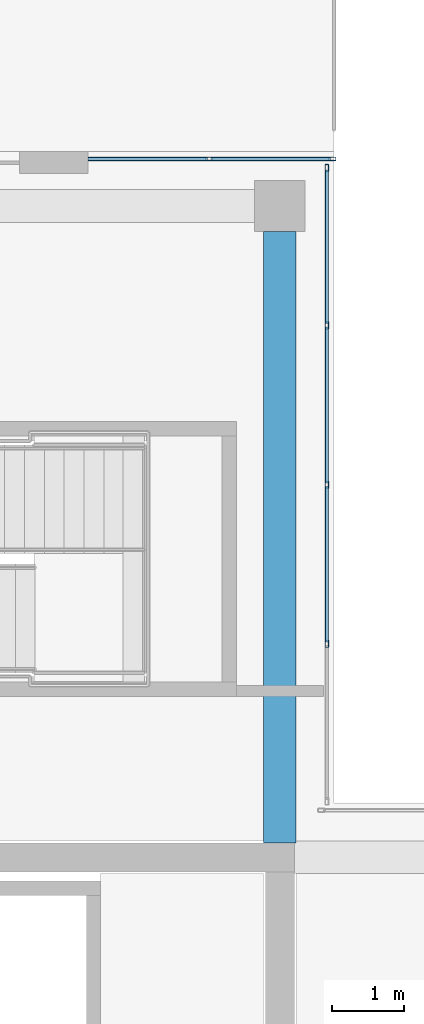
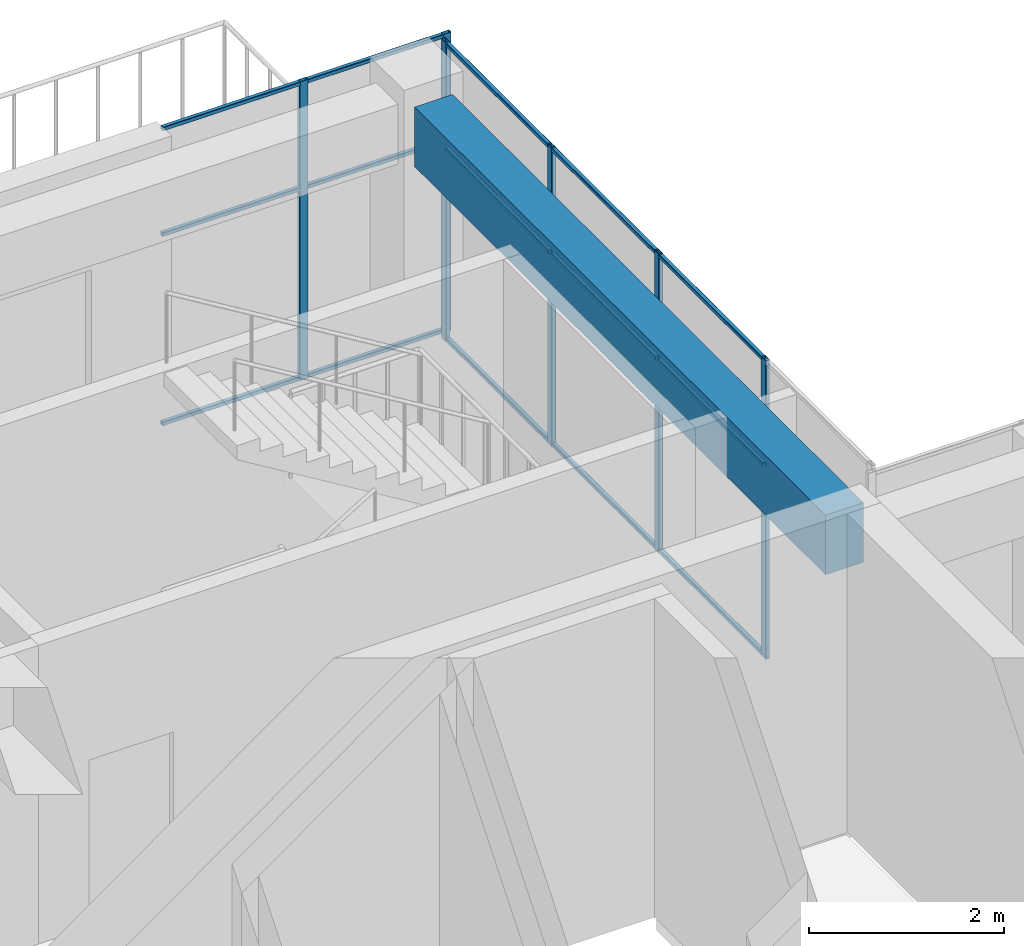
# One storey, part 35 of 49: 21 members, 1 beam, 2 elements without a shape of their own.
"""IFC4 building model written with IfcOpenShell, lengths in metres."""

from ifc_helpers import new_model, si_unit, direction, frame, origin, origin_2d, place, context, subcontext, project, spatial, rectangle, hollow_rectangle, extrude, material, layer, layer_set, material_profile, profile_set, type_object, element, aggregate, save


model = new_model("IFC4")

# Units and contexts
model_context = context("Model", 3, precision=1e-05, world=origin(), true_north=direction((0.0, 1.0)))
body_context = subcontext(model_context, "Body", "Model", "MODEL_VIEW")
ifc_project = project(units=[si_unit("LENGTHUNIT", "METRE"), si_unit("AREAUNIT", "SQUARE_METRE"), si_unit("VOLUMEUNIT", "CUBIC_METRE"), si_unit("PLANEANGLEUNIT", "RADIAN"), si_unit("MASSUNIT", "GRAM", prefix="KILO")], contexts=[model_context])

# Site, building, storey
site_placement = place(None, origin())
site = spatial("IfcSite", under=ifc_project, at=site_placement, CompositionType="ELEMENT")
building_placement = place(site_placement, origin())
building = spatial("IfcBuilding", under=site, at=building_placement, Name="Tuart Plaza Theatre", CompositionType="ELEMENT")
storey_placement = place(building_placement, frame((0.0, 0.0, 29.5)))
storey = spatial("IfcBuildingStorey", under=building, at=storey_placement, Name="L07", CompositionType="ELEMENT", Elevation=29.5)

# Beam
ifc_material_1 = material(Name="Concrete N40 (40 MPa)", Category="concrete")
ifc_material_profile_1 = material_profile(ifc_material_1, rectangle(XDim=0.449951171875, YDim=0.75, at=origin_2d()), Name="BEAM 450x750 Concrete N40 (40 MPa)")
ifc_profile_set_1 = profile_set([ifc_material_profile_1], Name="Concrete N40 (40 MPa)")
beam_type = type_object("IfcBeamType", Name="BEAM 450x750 Concrete N40 (40 MPa)", PredefinedType="BEAM", material=ifc_profile_set_1)
beam_placement = place(storey_placement, frame((141.0, 83.199951171875, 3.375), z_axis=(0.0, 1.0, 0.0), x_axis=(-1.0, 0.0, 0.0)))
element("IfcBeam", 1, at=beam_placement, inside=storey, type_object=beam_type, Name="RB273", PredefinedType="BEAM", context=body_context, shape_type="SweptSolid", body=[
    extrude(rectangle(XDim=0.449951171875, YDim=0.75, at=origin_2d()), origin(), (0.0, 0.0, 1.0), 8.449951171875),
])

# Curtain wall, members
ifc_material_2 = material(Name="Aluminium and glass", Category="aluminium")
ifc_layer = layer(ifc_material_2, 0.10009765625)
ifc_layer_set = layer_set([ifc_layer], Name="CURTAIN WALL 2000 module")
curtain_wall_type = type_object("IfcCurtainWallType", Name="CURTAIN WALL 2000 module", PredefinedType="NOTDEFINED", material=ifc_layer_set)
curtain_wall_1_placement = place(storey_placement, origin())
curtain_wall_1 = element("IfcCurtainWall", 2, at=curtain_wall_1_placement, inside=storey, type_object=curtain_wall_type, Name="CW94", PredefinedType="NOTDEFINED")
ifc_material_3 = material(Name="Aluminium 6063-T5", Category="aluminium")
ifc_material_profile_2 = material_profile(ifc_material_3, hollow_rectangle(XDim=0.050048828125, YDim=0.10009765625, WallThickness=0.00390625, InnerFilletRadius=0.00390625, OuterFilletRadius=0.008056640625, at=origin_2d()), Name="RHS 100x50x4")
ifc_profile_set_2 = profile_set([ifc_material_profile_2], Name="Aluminium 6063-T5")
member_type_1 = type_object("IfcMemberType", Name="MULLION RHS 100x50x4", PredefinedType="MULLION", material=ifc_profile_set_2)
member_1_placement = place(storey_placement, frame((141.64990234375, 85.949951171875, 0.0), z_axis=(0.0, 0.0, 1.0), x_axis=(-1.0, 0.0, 0.0)))
member_1 = element("IfcMember", 3, at=member_1_placement, type_object=member_type_1, Name="CW94 mullion 2", PredefinedType="MULLION", context=body_context, shape_type="SweptSolid", body=[
    extrude(hollow_rectangle(XDim=0.050048828125, YDim=0.10009765625, WallThickness=0.00390625, InnerFilletRadius=0.00390625, OuterFilletRadius=0.008056640625, at=origin_2d()), origin(), (0.0, 0.0, 1.0), 3.75),
])
member_2_placement = place(storey_placement, frame((141.64990234375, 88.14990234375, 0.0), z_axis=(0.0, 0.0, 1.0), x_axis=(-1.0, 0.0, 0.0)))
member_2 = element("IfcMember", 4, at=member_2_placement, type_object=member_type_1, Name="CW94 mullion 3", PredefinedType="MULLION", context=body_context, shape_type="SweptSolid", body=[
    extrude(hollow_rectangle(XDim=0.050048828125, YDim=0.10009765625, WallThickness=0.00390625, InnerFilletRadius=0.00390625, OuterFilletRadius=0.008056640625, at=origin_2d()), origin(), (0.0, 0.0, 1.0), 3.75),
])
member_3_placement = place(storey_placement, frame((141.64990234375, 90.35009765625, 0.0), z_axis=(0.0, 0.0, 1.0), x_axis=(-1.0, 0.0, 0.0)))
member_3 = element("IfcMember", 5, at=member_3_placement, type_object=member_type_1, Name="CW94 mullion 4", PredefinedType="MULLION", context=body_context, shape_type="SweptSolid", body=[
    extrude(hollow_rectangle(XDim=0.050048828125, YDim=0.10009765625, WallThickness=0.00390625, InnerFilletRadius=0.00390625, OuterFilletRadius=0.008056640625, at=origin_2d()), origin(), (0.0, 0.0, 1.0), 3.75),
])
member_4_placement = place(storey_placement, frame((141.64990234375, 92.52490234375, 0.0), z_axis=(0.0, 0.0, 1.0), x_axis=(-1.0, 0.0, 0.0)))
member_4 = element("IfcMember", 6, at=member_4_placement, type_object=member_type_1, Name="CW94 mullion 5", PredefinedType="MULLION", context=body_context, shape_type="SweptSolid", body=[
    extrude(hollow_rectangle(XDim=0.050048828125, YDim=0.10009765625, WallThickness=0.00390625, InnerFilletRadius=0.00390625, OuterFilletRadius=0.008056640625, at=origin_2d()), origin(), (0.0, 0.0, 1.0), 3.75),
])

curtain_wall_2_placement = place(storey_placement, origin())
curtain_wall_2 = element("IfcCurtainWall", 7, at=curtain_wall_2_placement, inside=storey, type_object=curtain_wall_type, Name="CW95", PredefinedType="NOTDEFINED")
member_5_placement = place(storey_placement, frame((141.72509765625, 92.64990234375, 0.0), z_axis=(0.0, 0.0, 1.0), x_axis=(0.0, -1.0, 0.0)))
member_5 = element("IfcMember", 8, at=member_5_placement, type_object=member_type_1, Name="CW95 mullion 1", PredefinedType="MULLION", context=body_context, shape_type="SweptSolid", body=[
    extrude(hollow_rectangle(XDim=0.050048828125, YDim=0.10009765625, WallThickness=0.00390625, InnerFilletRadius=0.00390625, OuterFilletRadius=0.008056640625, at=origin_2d()), origin(), (0.0, 0.0, 1.0), 3.75),
])
member_6_placement = place(storey_placement, frame((140.02490234375, 92.64990234375, 0.0), z_axis=(0.0, 0.0, 1.0), x_axis=(0.0, -1.0, 0.0)))
member_6 = element("IfcMember", 9, at=member_6_placement, type_object=member_type_1, Name="CW95 mullion 2", PredefinedType="MULLION", context=body_context, shape_type="SweptSolid", body=[
    extrude(hollow_rectangle(XDim=0.050048828125, YDim=0.10009765625, WallThickness=0.00390625, InnerFilletRadius=0.00390625, OuterFilletRadius=0.008056640625, at=origin_2d()), origin(), (0.0, 0.0, 1.0), 3.75),
])

# Member
ifc_material_4 = material(Name="Aluminium 6063-T5", Category="aluminium")
ifc_material_profile_3 = material_profile(ifc_material_4, hollow_rectangle(XDim=0.050048828125, YDim=0.050048828125, WallThickness=0.00390625, InnerFilletRadius=0.00390625, OuterFilletRadius=0.008056640625, at=origin_2d()), Name="RHS 50x50x4")
ifc_profile_set_3 = profile_set([ifc_material_profile_3], Name="Aluminium 6063-T5")
member_type_2 = type_object("IfcMemberType", Name="TRANSOM RHS 50x50x4", PredefinedType="USERDEFINED", material=ifc_profile_set_3)
member_7_placement = place(storey_placement, frame((141.64990234375, 85.97509765625, 0.02490234375), z_axis=(0.0, 1.0, 0.0), x_axis=(-1.0, 0.0, 0.0)))
member_7 = element("IfcMember", 10, at=member_7_placement, type_object=member_type_2, Name="CW94 transom 2.1", ObjectType="TRANSOM", PredefinedType="USERDEFINED", context=body_context, shape_type="SweptSolid", body=[
    extrude(hollow_rectangle(XDim=0.050048828125, YDim=0.050048828125, WallThickness=0.00390625, InnerFilletRadius=0.00390625, OuterFilletRadius=0.008056640625, at=origin_2d()), origin(), (0.0, 0.0, 1.0), 2.14990234375),
])

member_8_placement = place(storey_placement, frame((141.64990234375, 85.97509765625, 2.39990234375), z_axis=(0.0, 1.0, 0.0), x_axis=(-1.0, 0.0, 0.0)))
member_8 = element("IfcMember", 11, at=member_8_placement, type_object=member_type_2, Name="CW94 transom 2.2", ObjectType="TRANSOM", PredefinedType="USERDEFINED", context=body_context, shape_type="SweptSolid", body=[
    extrude(hollow_rectangle(XDim=0.050048828125, YDim=0.050048828125, WallThickness=0.00390625, InnerFilletRadius=0.00390625, OuterFilletRadius=0.008056640625, at=origin_2d()), origin(), (0.0, 0.0, 1.0), 2.14990234375),
])

member_9_placement = place(storey_placement, frame((141.64990234375, 85.97509765625, 3.72509765625), z_axis=(0.0, 1.0, 0.0), x_axis=(-1.0, 0.0, 0.0)))
member_9 = element("IfcMember", 12, at=member_9_placement, type_object=member_type_2, Name="CW94 transom 2.3", ObjectType="TRANSOM", PredefinedType="USERDEFINED", context=body_context, shape_type="SweptSolid", body=[
    extrude(hollow_rectangle(XDim=0.050048828125, YDim=0.050048828125, WallThickness=0.00390625, InnerFilletRadius=0.00390625, OuterFilletRadius=0.008056640625, at=origin_2d()), origin(), (0.0, 0.0, 1.0), 2.14990234375),
])

member_10_placement = place(storey_placement, frame((141.64990234375, 88.175048828125, 0.02490234375), z_axis=(0.0, 1.0, 0.0), x_axis=(-1.0, 0.0, 0.0)))
member_10 = element("IfcMember", 13, at=member_10_placement, type_object=member_type_2, Name="CW94 transom 3.1", ObjectType="TRANSOM", PredefinedType="USERDEFINED", context=body_context, shape_type="SweptSolid", body=[
    extrude(hollow_rectangle(XDim=0.050048828125, YDim=0.050048828125, WallThickness=0.00390625, InnerFilletRadius=0.00390625, OuterFilletRadius=0.008056640625, at=origin_2d()), origin(), (0.0, 0.0, 1.0), 2.14990234375),
])

member_11_placement = place(storey_placement, frame((141.64990234375, 88.175048828125, 2.39990234375), z_axis=(0.0, 1.0, 0.0), x_axis=(-1.0, 0.0, 0.0)))
member_11 = element("IfcMember", 14, at=member_11_placement, type_object=member_type_2, Name="CW94 transom 3.2", ObjectType="TRANSOM", PredefinedType="USERDEFINED", context=body_context, shape_type="SweptSolid", body=[
    extrude(hollow_rectangle(XDim=0.050048828125, YDim=0.050048828125, WallThickness=0.00390625, InnerFilletRadius=0.00390625, OuterFilletRadius=0.008056640625, at=origin_2d()), origin(), (0.0, 0.0, 1.0), 2.14990234375),
])

member_12_placement = place(storey_placement, frame((141.64990234375, 88.175048828125, 3.72509765625), z_axis=(0.0, 1.0, 0.0), x_axis=(-1.0, 0.0, 0.0)))
member_12 = element("IfcMember", 15, at=member_12_placement, type_object=member_type_2, Name="CW94 transom 3.3", ObjectType="TRANSOM", PredefinedType="USERDEFINED", context=body_context, shape_type="SweptSolid", body=[
    extrude(hollow_rectangle(XDim=0.050048828125, YDim=0.050048828125, WallThickness=0.00390625, InnerFilletRadius=0.00390625, OuterFilletRadius=0.008056640625, at=origin_2d()), origin(), (0.0, 0.0, 1.0), 2.14990234375),
])

member_13_placement = place(storey_placement, frame((141.64990234375, 90.375, 0.02490234375), z_axis=(0.0, 1.0, 0.0), x_axis=(-1.0, 0.0, 0.0)))
member_13 = element("IfcMember", 16, at=member_13_placement, type_object=member_type_2, Name="CW94 transom 4.1", ObjectType="TRANSOM", PredefinedType="USERDEFINED", context=body_context, shape_type="SweptSolid", body=[
    extrude(hollow_rectangle(XDim=0.050048828125, YDim=0.050048828125, WallThickness=0.00390625, InnerFilletRadius=0.00390625, OuterFilletRadius=0.008056640625, at=origin_2d()), origin(), (0.0, 0.0, 1.0), 2.125),
])

member_14_placement = place(storey_placement, frame((141.64990234375, 90.375, 2.39990234375), z_axis=(0.0, 1.0, 0.0), x_axis=(-1.0, 0.0, 0.0)))
member_14 = element("IfcMember", 17, at=member_14_placement, type_object=member_type_2, Name="CW94 transom 4.2", ObjectType="TRANSOM", PredefinedType="USERDEFINED", context=body_context, shape_type="SweptSolid", body=[
    extrude(hollow_rectangle(XDim=0.050048828125, YDim=0.050048828125, WallThickness=0.00390625, InnerFilletRadius=0.00390625, OuterFilletRadius=0.008056640625, at=origin_2d()), origin(), (0.0, 0.0, 1.0), 2.125),
])

member_15_placement = place(storey_placement, frame((141.64990234375, 90.375, 3.72509765625), z_axis=(0.0, 1.0, 0.0), x_axis=(-1.0, 0.0, 0.0)))
member_15 = element("IfcMember", 18, at=member_15_placement, type_object=member_type_2, Name="CW94 transom 4.3", ObjectType="TRANSOM", PredefinedType="USERDEFINED", context=body_context, shape_type="SweptSolid", body=[
    extrude(hollow_rectangle(XDim=0.050048828125, YDim=0.050048828125, WallThickness=0.00390625, InnerFilletRadius=0.00390625, OuterFilletRadius=0.008056640625, at=origin_2d()), origin(), (0.0, 0.0, 1.0), 2.125),
])

aggregate(curtain_wall_1, [member_1, member_2, member_3, member_4, member_7, member_8, member_9, member_10, member_11, member_12, member_13, member_14, member_15])

member_16_placement = place(storey_placement, frame((141.699951171875, 92.64990234375, 0.02490234375), z_axis=(-1.0, 0.0, 0.0), x_axis=(0.0, -1.0, 0.0)))
member_16 = element("IfcMember", 19, at=member_16_placement, type_object=member_type_2, Name="CW95 transom 1.1", ObjectType="TRANSOM", PredefinedType="USERDEFINED", context=body_context, shape_type="SweptSolid", body=[
    extrude(hollow_rectangle(XDim=0.050048828125, YDim=0.050048828125, WallThickness=0.00390625, InnerFilletRadius=0.00390625, OuterFilletRadius=0.008056640625, at=origin_2d()), origin(), (0.0, 0.0, 1.0), 1.64990234375),
])

member_17_placement = place(storey_placement, frame((141.699951171875, 92.64990234375, 2.39990234375), z_axis=(-1.0, 0.0, 0.0), x_axis=(0.0, -1.0, 0.0)))
member_17 = element("IfcMember", 20, at=member_17_placement, type_object=member_type_2, Name="CW95 transom 1.2", ObjectType="TRANSOM", PredefinedType="USERDEFINED", context=body_context, shape_type="SweptSolid", body=[
    extrude(hollow_rectangle(XDim=0.050048828125, YDim=0.050048828125, WallThickness=0.00390625, InnerFilletRadius=0.00390625, OuterFilletRadius=0.008056640625, at=origin_2d()), origin(), (0.0, 0.0, 1.0), 1.64990234375),
])

member_18_placement = place(storey_placement, frame((141.699951171875, 92.64990234375, 3.72509765625), z_axis=(-1.0, 0.0, 0.0), x_axis=(0.0, -1.0, 0.0)))
member_18 = element("IfcMember", 21, at=member_18_placement, type_object=member_type_2, Name="CW95 transom 1.3", ObjectType="TRANSOM", PredefinedType="USERDEFINED", context=body_context, shape_type="SweptSolid", body=[
    extrude(hollow_rectangle(XDim=0.050048828125, YDim=0.050048828125, WallThickness=0.00390625, InnerFilletRadius=0.00390625, OuterFilletRadius=0.008056640625, at=origin_2d()), origin(), (0.0, 0.0, 1.0), 1.64990234375),
])

member_19_placement = place(storey_placement, frame((140.0, 92.64990234375, 0.02490234375), z_axis=(-1.0, 0.0, 0.0), x_axis=(0.0, -1.0, 0.0)))
member_19 = element("IfcMember", 22, at=member_19_placement, type_object=member_type_2, Name="CW95 transom 2.1", ObjectType="TRANSOM", PredefinedType="USERDEFINED", context=body_context, shape_type="SweptSolid", body=[
    extrude(hollow_rectangle(XDim=0.050048828125, YDim=0.050048828125, WallThickness=0.00390625, InnerFilletRadius=0.00390625, OuterFilletRadius=0.008056640625, at=origin_2d()), origin(), (0.0, 0.0, 1.0), 1.64990234375),
])

member_20_placement = place(storey_placement, frame((140.0, 92.64990234375, 2.39990234375), z_axis=(-1.0, 0.0, 0.0), x_axis=(0.0, -1.0, 0.0)))
member_20 = element("IfcMember", 23, at=member_20_placement, type_object=member_type_2, Name="CW95 transom 2.2", ObjectType="TRANSOM", PredefinedType="USERDEFINED", context=body_context, shape_type="SweptSolid", body=[
    extrude(hollow_rectangle(XDim=0.050048828125, YDim=0.050048828125, WallThickness=0.00390625, InnerFilletRadius=0.00390625, OuterFilletRadius=0.008056640625, at=origin_2d()), origin(), (0.0, 0.0, 1.0), 1.64990234375),
])

member_21_placement = place(storey_placement, frame((140.0, 92.64990234375, 3.72509765625), z_axis=(-1.0, 0.0, 0.0), x_axis=(0.0, -1.0, 0.0)))
member_21 = element("IfcMember", 24, at=member_21_placement, type_object=member_type_2, Name="CW95 transom 2.3", ObjectType="TRANSOM", PredefinedType="USERDEFINED", context=body_context, shape_type="SweptSolid", body=[
    extrude(hollow_rectangle(XDim=0.050048828125, YDim=0.050048828125, WallThickness=0.00390625, InnerFilletRadius=0.00390625, OuterFilletRadius=0.008056640625, at=origin_2d()), origin(), (0.0, 0.0, 1.0), 1.64990234375),
])

aggregate(curtain_wall_2, [member_5, member_6, member_16, member_17, member_18, member_19, member_20, member_21])

save(model, "model.ifc")
